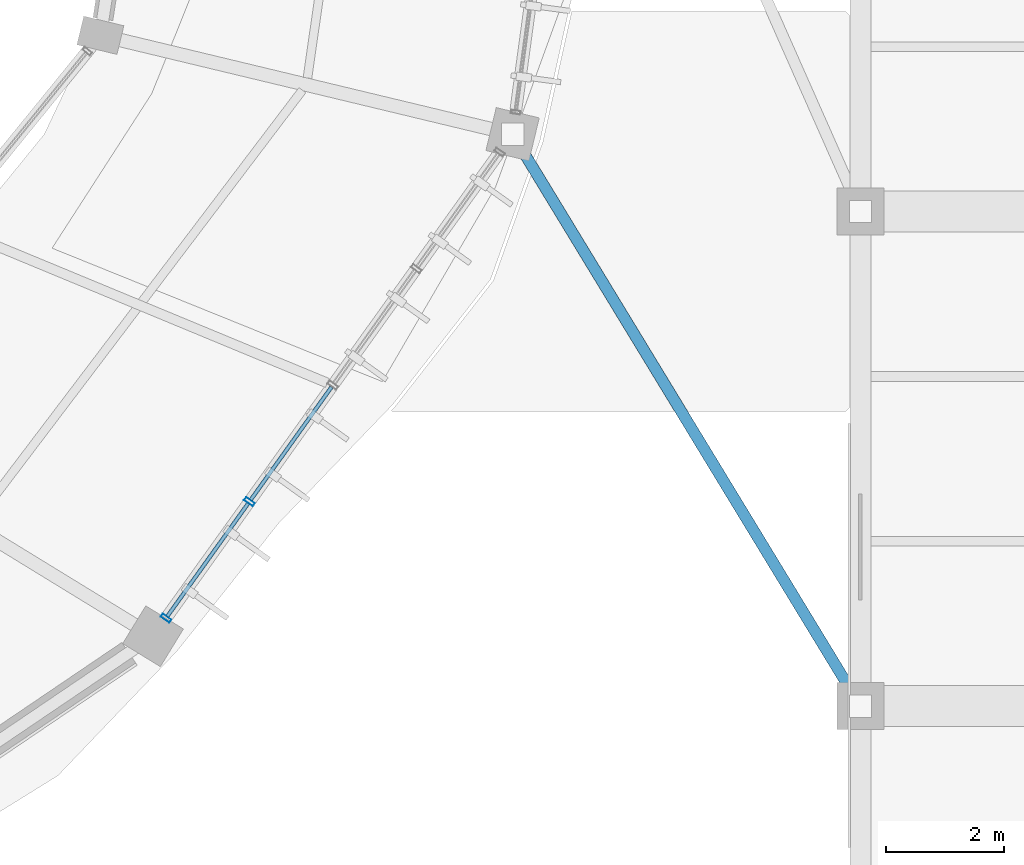
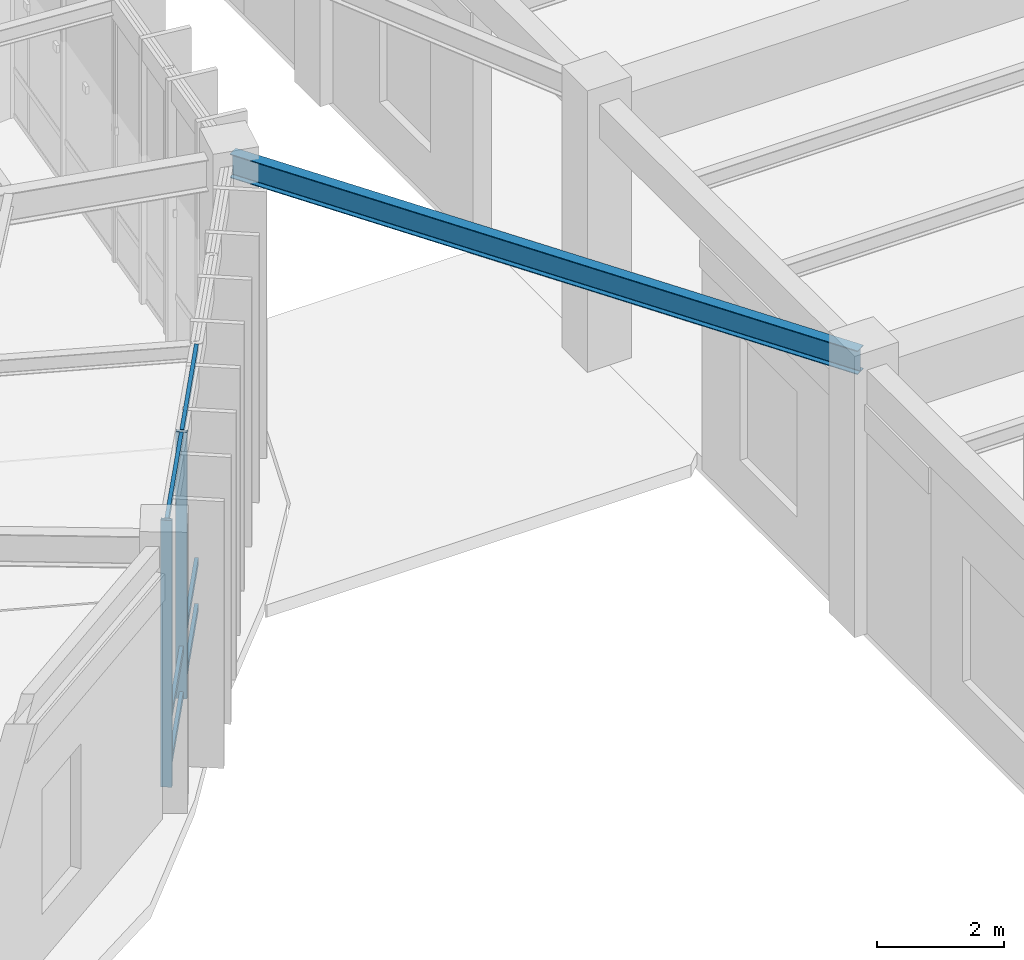
# One storey, part 95 of 157: 8 members, 1 beam, 1 element without a shape of its own.
"""IFC4 building model written with IfcOpenShell, lengths in metres."""

from ifc_helpers import new_model, si_unit, direction, frame, origin, origin_2d, place, context, subcontext, project, spatial, hollow_rectangle, i_section, extrude, material, material_profile, profile_set, type_object, element, aggregate, save


model = new_model("IFC4")

# Units and contexts
model_context = context("Model", 3, precision=1e-05, world=origin(), true_north=direction((0.0, 1.0)))
body_context = subcontext(model_context, "Body", "Model", "MODEL_VIEW")
ifc_project = project(units=[si_unit("LENGTHUNIT", "METRE"), si_unit("AREAUNIT", "SQUARE_METRE"), si_unit("VOLUMEUNIT", "CUBIC_METRE"), si_unit("PLANEANGLEUNIT", "RADIAN"), si_unit("MASSUNIT", "GRAM", prefix="KILO"), si_unit("THERMODYNAMICTEMPERATUREUNIT", "KELVIN"), si_unit("POWERUNIT", "WATT")], contexts=[model_context])

# Site, building, storey
site_placement = place(None, origin())
site = spatial("IfcSite", under=ifc_project, at=site_placement, CompositionType="ELEMENT")
building_placement = place(site_placement, origin())
building = spatial("IfcBuilding", under=site, at=building_placement, Name="Darbajah Civic Hall", CompositionType="ELEMENT")
storey_placement = place(building_placement, origin())
storey = spatial("IfcBuildingStorey", under=building, at=storey_placement, Name="L00", CompositionType="ELEMENT", Elevation=0.0)

# Curtain wall, members
ifc_material_1 = material(Name="Anodised Bronze Aluminium and Low-E Glazing", Category="aluminium")
curtain_wall_type = type_object("IfcCurtainWallType", Name="Unitised Curtain Wall CW-16 9700x5100", PredefinedType="USERDEFINED", material=ifc_material_1)
curtain_wall_placement = place(storey_placement, origin())
curtain_wall = element("IfcCurtainWall", 1, at=curtain_wall_placement, inside=storey, type_object=curtain_wall_type, Name="L00 unitised curtain wall CW-V1O-L00-18", ObjectType="UNITISED CURTAIN WALL", PredefinedType="USERDEFINED")
ifc_material_2 = material(Name="Anodised Bronze Aluminium", Category="aluminium")
ifc_material_profile_1 = material_profile(ifc_material_2, hollow_rectangle(XDim=0.06494140625, YDim=0.179931640625, WallThickness=0.00390625, at=origin_2d()), Name="ALU MULLION 65x180")
ifc_profile_set_1 = profile_set([ifc_material_profile_1], Name="Anodised Bronze Aluminium")
member_type_1 = type_object("IfcMemberType", Name="ALU MULLION 65x180", PredefinedType="MULLION", material=ifc_profile_set_1)
member_1_placement = place(storey_placement, frame((132.80419921875, 74.69287109375, 0.0), z_axis=(0.0, 0.0, 1.0), x_axis=(0.582264874145, 0.812999149039, 0.0)))
member_1 = element("IfcMember", 2, at=member_1_placement, type_object=member_type_1, Name="CW-V1O-L00-18 mullion 1", PredefinedType="MULLION", context=body_context, shape_type="SweptSolid", body=[
    extrude(hollow_rectangle(XDim=0.06494140625, YDim=0.179931640625, WallThickness=0.00390625, at=origin_2d()), origin(), (0.0, 0.0, 1.0), 5.1201171875),
])
member_2_placement = place(storey_placement, frame((134.220947265625, 76.67138671875, 0.0), z_axis=(0.0, 0.0, 1.0), x_axis=(0.582264874145, 0.812999149039, 0.0)))
member_2 = element("IfcMember", 3, at=member_2_placement, type_object=member_type_1, Name="CW-V1O-L00-18 mullion 2", PredefinedType="MULLION", context=body_context, shape_type="SweptSolid", body=[
    extrude(hollow_rectangle(XDim=0.06494140625, YDim=0.179931640625, WallThickness=0.00390625, at=origin_2d()), origin(), (0.0, 0.0, 1.0), 5.1201171875),
])
ifc_material_profile_2 = material_profile(ifc_material_2, hollow_rectangle(XDim=0.06494140625, YDim=0.139892578125, WallThickness=0.00341796875, at=origin_2d()), Name="ALU TRANSOM 65x140")
ifc_profile_set_2 = profile_set([ifc_material_profile_2], Name="Anodised Bronze Aluminium")
member_type_2 = type_object("IfcMemberType", Name="ALU TRANSOM 65x140", PredefinedType="USERDEFINED", material=ifc_profile_set_2)
member_3_placement = place(storey_placement, frame((132.825927734375, 74.723388671875, 0.070068359375), z_axis=(0.58226587492, 0.812998432288, 0.0), x_axis=(-0.812998432288, 0.58226587492, 0.0)))
member_3 = element("IfcMember", 4, at=member_3_placement, type_object=member_type_2, Name="CW-V1O-L00-18 transom 1.1", ObjectType="TRANSOM", PredefinedType="USERDEFINED", context=body_context, shape_type="SweptSolid", body=[
    extrude(hollow_rectangle(XDim=0.06494140625, YDim=0.139892578125, WallThickness=0.00341796875, at=origin_2d()), origin(), (0.0, 0.0, 1.0), 2.358642578125),
])
member_4_placement = place(storey_placement, frame((132.825927734375, 74.723388671875, 0.949951171875), z_axis=(0.58226587492, 0.812998432288, 0.0), x_axis=(-0.812998432288, 0.58226587492, 0.0)))
member_4 = element("IfcMember", 5, at=member_4_placement, type_object=member_type_2, Name="CW-V1O-L00-18 transom 1.2", ObjectType="TRANSOM", PredefinedType="USERDEFINED", context=body_context, shape_type="SweptSolid", body=[
    extrude(hollow_rectangle(XDim=0.06494140625, YDim=0.139892578125, WallThickness=0.00341796875, at=origin_2d()), origin(), (0.0, 0.0, 1.0), 2.358642578125),
])
member_5_placement = place(storey_placement, frame((132.825927734375, 74.723388671875, 5.050048828125), z_axis=(0.58226587492, 0.812998432288, 0.0), x_axis=(-0.812998432288, 0.58226587492, 0.0)))
member_5 = element("IfcMember", 6, at=member_5_placement, type_object=member_type_2, Name="CW-V1O-L00-18 transom 1.3", ObjectType="TRANSOM", PredefinedType="USERDEFINED", context=body_context, shape_type="SweptSolid", body=[
    extrude(hollow_rectangle(XDim=0.06494140625, YDim=0.139892578125, WallThickness=0.00341796875, at=origin_2d()), origin(), (0.0, 0.0, 1.0), 2.358642578125),
])
member_6_placement = place(storey_placement, frame((134.242919921875, 76.701904296875, 0.070068359375), z_axis=(0.582197449497, 0.813047433917, 0.0), x_axis=(-0.813047433917, 0.582197449497, 0.0)))
member_6 = element("IfcMember", 7, at=member_6_placement, type_object=member_type_2, Name="CW-V1O-L00-18 transom 2.1", ObjectType="TRANSOM", PredefinedType="USERDEFINED", context=body_context, shape_type="SweptSolid", body=[
    extrude(hollow_rectangle(XDim=0.06494140625, YDim=0.139892578125, WallThickness=0.00341796875, at=origin_2d()), origin(), (0.0, 0.0, 1.0), 2.3583984375),
])
member_7_placement = place(storey_placement, frame((134.242919921875, 76.701904296875, 0.949951171875), z_axis=(0.582197449497, 0.813047433917, 0.0), x_axis=(-0.813047433917, 0.582197449497, 0.0)))
member_7 = element("IfcMember", 8, at=member_7_placement, type_object=member_type_2, Name="CW-V1O-L00-18 transom 2.2", ObjectType="TRANSOM", PredefinedType="USERDEFINED", context=body_context, shape_type="SweptSolid", body=[
    extrude(hollow_rectangle(XDim=0.06494140625, YDim=0.139892578125, WallThickness=0.00341796875, at=origin_2d()), origin(), (0.0, 0.0, 1.0), 2.3583984375),
])
member_8_placement = place(storey_placement, frame((134.242919921875, 76.701904296875, 5.050048828125), z_axis=(0.582197449497, 0.813047433917, 0.0), x_axis=(-0.813047433917, 0.582197449497, 0.0)))
member_8 = element("IfcMember", 9, at=member_8_placement, type_object=member_type_2, Name="CW-V1O-L00-18 transom 2.3", ObjectType="TRANSOM", PredefinedType="USERDEFINED", context=body_context, shape_type="SweptSolid", body=[
    extrude(hollow_rectangle(XDim=0.06494140625, YDim=0.139892578125, WallThickness=0.00341796875, at=origin_2d()), origin(), (0.0, 0.0, 1.0), 2.3583984375),
])
aggregate(curtain_wall, [member_1, member_2, member_3, member_4, member_5, member_6, member_7, member_8])

# Beam
ifc_material_3 = material(Name="Steel S355JR", Category="steel")
ifc_material_profile_3 = material_profile(ifc_material_3, i_section(OverallWidth=0.1904296875, OverallDepth=0.45703125, WebThickness=0.009033203125, FlangeThickness=0.014404296875, FilletRadius=0.01025390625, at=origin_2d()), Name="UB 457x191x74")
ifc_profile_set_3 = profile_set([ifc_material_profile_3], Name="Steel S355JR")
beam_type = type_object("IfcBeamType", Name="UB 457x191x74", PredefinedType="BEAM", material=ifc_profile_set_3)
beam_placement = place(storey_placement, frame((138.72216796875, 82.862060546875, 4.931396484375), z_axis=(0.519726613867, -0.854332632432, 0.0), x_axis=(0.854332632432, 0.519726613867, 0.0)))
element("IfcBeam", 10, at=beam_placement, inside=storey, type_object=beam_type, Name="L00 beam SB-457", PredefinedType="BEAM", context=body_context, shape_type="SweptSolid", body=[
    extrude(i_section(OverallWidth=0.1904296875, OverallDepth=0.45703125, WebThickness=0.009033203125, FlangeThickness=0.014404296875, FilletRadius=0.01025390625, at=origin_2d()), origin(), (0.0, 0.0, 1.0), 11.24951171875),
])

save(model, "model.ifc")
